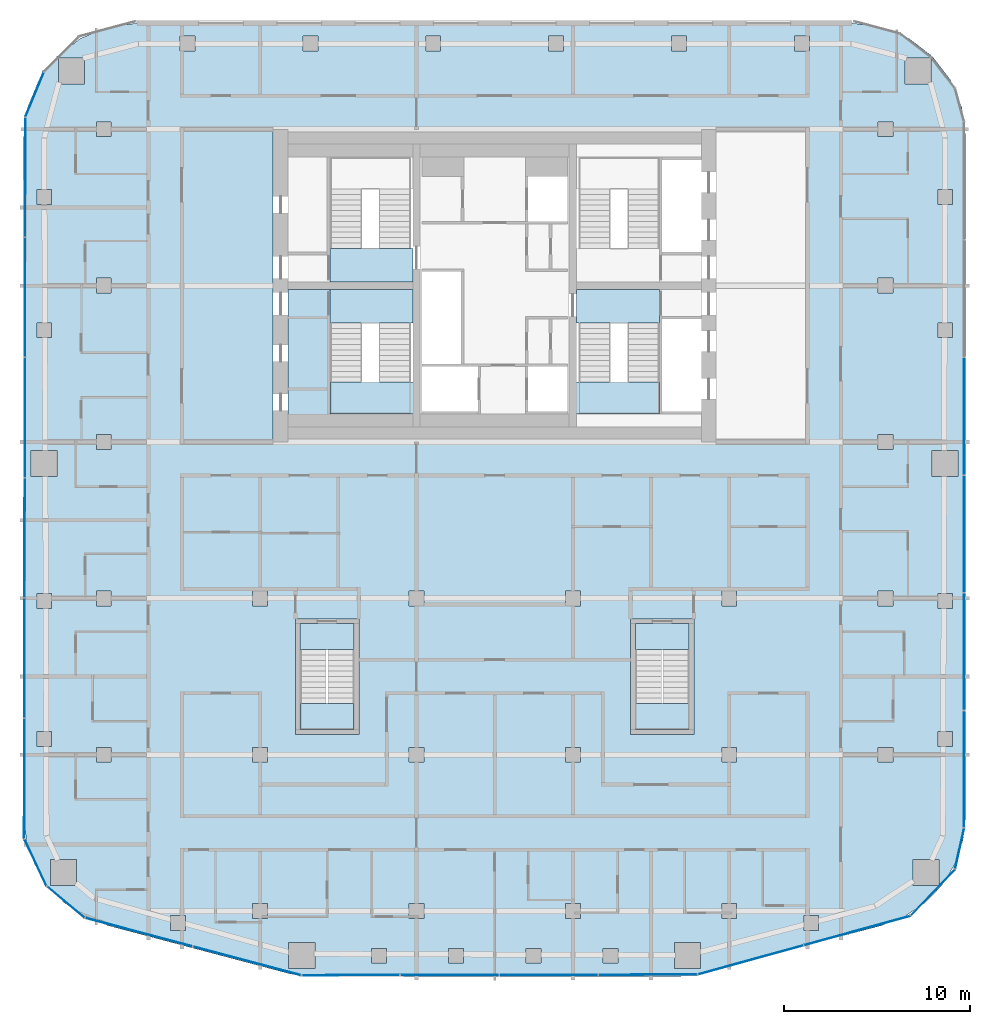
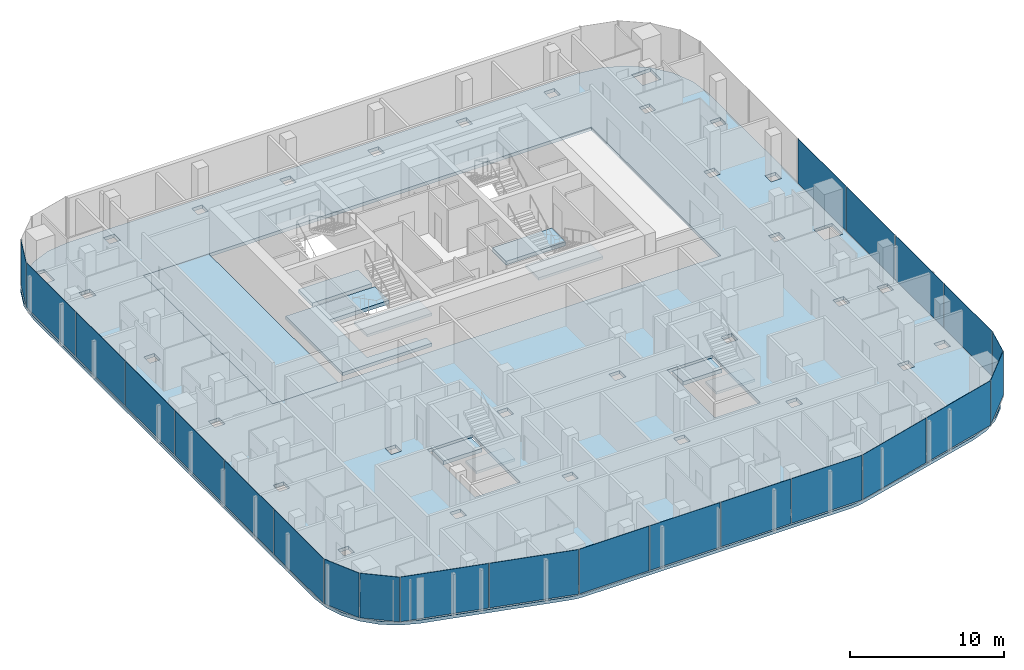
# One storey, part 12 of 22: 23 plates, 12 slabs, 14 elements without a shape of their own.
"""IFC4 building model written with IfcOpenShell, lengths in metres."""

import ifcopenshell
import ifcopenshell.guid

model = None  # the IFC model being written
_history = None  # IfcOwnerHistory: only IFC2X3 demands one
_inside = {}  # id of a spatial element -> (the spatial element, [elements in it])
_under = {}  # id of a project, library or spatial element -> (it, [spatial elements below it])
_declared = {}  # id of a project -> (the project, [libraries it declares])
_typed = {}  # id of a type object -> (the type object, [elements of that type])
_made_of = {}  # id of a material, layer set ... -> (it, [elements and type objects made of it])


def new_model(schema):
    """Start an empty IFC model of exactly this schema.

    Asked for "IFC4X3", IfcOpenShell would pick the latest addendum, in which some entities
    have other attributes; the version numbers below select the first issue.
    IFC2X3 requires an IfcOwnerHistory on every rooted entity: one is made here for all.
    """
    global model, _history
    if schema == "IFC4X3":
        model = ifcopenshell.file(schema_version=(4, 3, 0, 0))
    else:
        model = ifcopenshell.file(schema=schema)
    _inside.clear()
    _under.clear()
    _declared.clear()
    _typed.clear()
    _made_of.clear()
    _history = None
    if model.schema == "IFC2X3":
        org = make("IfcOrganization", Name="unknown")
        user = make(
            "IfcPersonAndOrganization",
            ThePerson=make("IfcPerson", FamilyName="unknown"),
            TheOrganization=org,
        )
        app = make(
            "IfcApplication",
            ApplicationDeveloper=org,
            Version="unknown",
            ApplicationFullName="unknown",
            ApplicationIdentifier="unknown",
        )
        _history = make(
            "IfcOwnerHistory",
            OwningUser=user,
            OwningApplication=app,
            ChangeAction="ADDED",
            CreationDate=0,
        )
    return model


def make(cls, **values):
    """One entity of the class cls with the attributes given. An attribute that is None is left unset."""
    return model.create_entity(
        cls, **{name: value for name, value in values.items() if value is not None}
    )


def rooted(cls, **values):
    """An entity with a GlobalId (a new one), such as an element, a storey or a relation."""
    return make(cls, GlobalId=ifcopenshell.guid.new(), OwnerHistory=_history, **values)


def si_unit(unit_type, name, prefix=None):
    """IfcSIUnit, for example si_unit("LENGTHUNIT", "METRE", prefix="MILLI")."""
    return make("IfcSIUnit", UnitType=unit_type, Prefix=prefix, Name=name)


def assignment(units):
    """IfcUnitAssignment: the units of a project."""
    return None if units is None else make("IfcUnitAssignment", Units=units)


def point(xyz):
    """IfcCartesianPoint."""
    return None if xyz is None else make("IfcCartesianPoint", Coordinates=xyz)


def direction(xyz):
    """IfcDirection."""
    return None if xyz is None else make("IfcDirection", DirectionRatios=xyz)


def frame(location, z_axis=None, x_axis=None):
    """IfcAxis2Placement3D, a coordinate frame: its origin and axes. An axis left out is left unset."""
    return make(
        "IfcAxis2Placement3D",
        Location=point(location),
        Axis=direction(z_axis),
        RefDirection=direction(x_axis),
    )


def frame_2d(location, x_axis=None):
    """IfcAxis2Placement2D, a coordinate frame in the plane: its origin and x axis."""
    return make(
        "IfcAxis2Placement2D", Location=point(location), RefDirection=direction(x_axis)
    )


def origin():
    """The frame at (0, 0, 0) with its axes left unset."""
    return frame((0.0, 0.0, 0.0))


def origin_2d():
    """The frame at (0, 0) in the plane with its x axis left unset."""
    return frame_2d((0.0, 0.0))


def place(relative_to, where):
    """IfcLocalPlacement: puts the frame where relative to a parent placement (None: the world)."""
    return make(
        "IfcLocalPlacement", PlacementRelTo=relative_to, RelativePlacement=where
    )


def context(
    kind, dimensions, precision=None, world=None, true_north=None, identifier=None
):
    """IfcGeometricRepresentationContext, for example the 3D "Model" context."""
    return make(
        "IfcGeometricRepresentationContext",
        ContextIdentifier=identifier,
        ContextType=kind,
        CoordinateSpaceDimension=dimensions,
        Precision=precision,
        WorldCoordinateSystem=world,
        TrueNorth=true_north,
    )


def subcontext(parent, identifier, kind, view, scale=None):
    """IfcGeometricRepresentationSubContext, for example "Body" below "Model"."""
    return make(
        "IfcGeometricRepresentationSubContext",
        ContextIdentifier=identifier,
        ContextType=kind,
        ParentContext=parent,
        TargetScale=scale,
        TargetView=view,
    )


def project(units=None, contexts=None):
    """IfcProject with its units and contexts."""
    return rooted(
        "IfcProject",
        Name="project",
        RepresentationContexts=contexts,
        UnitsInContext=assignment(units),
    )


def spatial(cls, under=None, at=None, **own):
    """A site, building, storey or space (cls), placed at a placement, below another one or the project."""
    s = rooted(cls, ObjectPlacement=at, **own)
    if under is not None:
        _under.setdefault(under.id(), (under, []))[1].append(s)
    return s


def polyline(points):
    """IfcPolyline through the points."""
    return make("IfcPolyline", Points=[point(p) for p in points])


def profile(cls, at=None, kind="AREA", **sizes):
    """A parametric profile (cls). Its sizes go by their IFC names, for example OverallWidth=200.0."""
    return make(cls, ProfileType=kind, Position=at, **sizes)


def rectangle(**sizes):
    """IfcRectangleProfileDef."""
    return profile("IfcRectangleProfileDef", **sizes)


def outline(outer, holes=None, kind="AREA"):
    """IfcArbitraryClosedProfileDef: a profile drawn as a closed curve; with holes, ...WithVoids."""
    if holes is None:
        return make("IfcArbitraryClosedProfileDef", ProfileType=kind, OuterCurve=outer)
    return make(
        "IfcArbitraryProfileDefWithVoids",
        ProfileType=kind,
        OuterCurve=outer,
        InnerCurves=holes,
    )


def extrude(swept, where, along, depth):
    """IfcExtrudedAreaSolid: the profile swept, set in the frame where, extruded along a direction by depth."""
    return make(
        "IfcExtrudedAreaSolid",
        SweptArea=swept,
        Position=where,
        ExtrudedDirection=direction(along),
        Depth=depth,
    )


def shape(context_of_items, identifier, shape_type, items):
    """IfcShapeRepresentation: the items that make up one representation, for example the "Body"."""
    return make(
        "IfcShapeRepresentation",
        ContextOfItems=context_of_items,
        RepresentationIdentifier=identifier,
        RepresentationType=shape_type,
        Items=items,
    )


def material(Name=None, Category=None):
    """IfcMaterial."""
    return make("IfcMaterial", Name=Name, Category=Category)


def layer(
    of_material, thickness, ventilated=None, Name=None, Category=None, Priority=None
):
    """IfcMaterialLayer: one layer of a wall or slab, of a material (None: an air gap)."""
    return make(
        "IfcMaterialLayer",
        Material=of_material,
        LayerThickness=thickness,
        IsVentilated=ventilated,
        Name=Name,
        Category=Category,
        Priority=Priority,
    )


def layer_set(layers, Name=None):
    """IfcMaterialLayerSet."""
    return make("IfcMaterialLayerSet", MaterialLayers=layers, LayerSetName=Name)


def made_of(thing, what):
    """Note that an element or type object is made of a material, layer set ...; save() writes the relation."""
    if what is not None:
        _made_of.setdefault(what.id(), (what, []))[1].append(thing)
    return thing


def type_object(cls, material=None, **own):
    """A type object (cls), such as IfcWallType, which elements share."""
    return made_of(rooted(cls, **own), material)


def element(
    cls,
    number,
    at=None,
    inside=None,
    cuts=None,
    type_object=None,
    material=None,
    context=None,
    identifier="Body",
    shape_type=None,
    held_by="IfcProductDefinitionShape",
    body=None,
    shapes=None,
    **own,
):
    """One element of the class cls, such as IfcWall. Its Tag is "e" and its number.

    at: its placement. inside: the storey or other place that contains it. cuts: it is an
    opening in that element (IfcRelVoidsElement). A single representation is given by context,
    identifier, shape_type and body (its items); several are given by shapes. held_by: the class
    of the entity that holds the representations. save() writes the other relations.
    """
    e = rooted(cls, Tag="e%d" % number, ObjectPlacement=at, **own)
    if body is not None:
        shapes = [shape(context, identifier, shape_type, body)]
    if shapes is not None:
        e.Representation = make(held_by, Representations=shapes)
    if inside is not None:
        _inside.setdefault(inside.id(), (inside, []))[1].append(e)
    if cuts is not None:
        rooted(
            "IfcRelVoidsElement", RelatingBuildingElement=cuts, RelatedOpeningElement=e
        )
    if type_object is not None:
        _typed.setdefault(type_object.id(), (type_object, []))[1].append(e)
    return made_of(e, material)


def aggregate(whole, parts):
    """IfcRelAggregates: a whole, such as a stair, and the parts it consists of."""
    return rooted("IfcRelAggregates", RelatingObject=whole, RelatedObjects=parts)


def save(model, path):
    """Write the relations noted so far, then the file.

    IfcRelAggregates (storeys below a building ...), IfcRelContainedInSpatialStructure (elements
    in a storey), IfcRelDefinesByType, IfcRelAssociatesMaterial and IfcRelDeclares: one each for
    every whole, place, type object, material and project.
    """
    for whole, parts in _under.values():
        aggregate(whole, parts)
    for where, things in _inside.values():
        rooted(
            "IfcRelContainedInSpatialStructure",
            RelatedElements=things,
            RelatingStructure=where,
        )
    for kind, things in _typed.values():
        rooted("IfcRelDefinesByType", RelatedObjects=things, RelatingType=kind)
    for what, things in _made_of.values():
        rooted("IfcRelAssociatesMaterial", RelatedObjects=things, RelatingMaterial=what)
    for by, libraries in _declared.values():
        rooted("IfcRelDeclares", RelatingContext=by, RelatedDefinitions=libraries)
    model.write(path)


model = new_model("IFC4")

# Units and contexts
model_context = context("Model", 3, precision=1e-05, world=origin(), true_north=direction((0.0, 1.0)))
body_context = subcontext(model_context, "Body", "Model", "MODEL_VIEW")
ifc_project = project(units=[si_unit("LENGTHUNIT", "METRE"), si_unit("AREAUNIT", "SQUARE_METRE"), si_unit("VOLUMEUNIT", "CUBIC_METRE"), si_unit("PLANEANGLEUNIT", "RADIAN"), si_unit("MASSUNIT", "GRAM", prefix="KILO")], contexts=[model_context])

# Site, building, storey
site_placement = place(None, origin())
site = spatial("IfcSite", under=ifc_project, at=site_placement, CompositionType="ELEMENT")
building_placement = place(site_placement, origin())
building = spatial("IfcBuilding", under=site, at=building_placement, Name="Marenta Gate Hotel Tower", CompositionType="ELEMENT")
storey_placement = place(building_placement, frame((0.0, 0.0, 223.699951171875)))
storey = spatial("IfcBuildingStorey", under=building, at=storey_placement, Name="L52", CompositionType="ELEMENT", Elevation=223.699951171875)

# Slabs
ifc_material_1 = material(Name="Concrete C35", Category="concrete")
ifc_layer_1 = layer(ifc_material_1, 0.260009765625)
ifc_layer_set_1 = layer_set([ifc_layer_1], Name="Concrete C35")
slab_type_1 = type_object("IfcSlabType", Name="Concrete floor slab 260", PredefinedType="FLOOR", material=ifc_layer_set_1)
slab_1_placement = place(storey_placement, frame((0.0, 0.0, -0.260009765625)))
element("IfcSlab", 1, at=slab_1_placement, inside=storey, type_object=slab_type_1, Name="L52-SL-1", PredefinedType="FLOOR", context=body_context, shape_type="SweptSolid", body=[
    extrude(outline(polyline([(-23.11376953125, -24.76416015625), (-24.035400390625, -23.803955078125), (-24.72705078125, -22.6669921875), (-25.155517578125, -21.4072265625), (-25.300048828125, -20.08984375), (-25.300048828125, 16.406494140625), (-25.093017578125, 17.97900390625), (-24.483642578125, 19.450439453125), (-23.513916015625, 20.7138671875), (-22.25048828125, 21.68359375), (-20.779052734375, 22.29296875), (-19.20654296875, 22.5), (19.20654296875, 22.5), (20.779052734375, 22.29296875), (22.25048828125, 21.68359375), (23.513916015625, 20.7138671875), (24.483642578125, 19.450439453125), (25.093017578125, 17.97900390625), (25.300048828125, 16.406494140625), (25.300048828125, -20.08984375), (25.155517578125, -21.4072265625), (24.72705078125, -22.6669921875), (24.035400390625, -23.803955078125), (23.11376953125, -24.76416015625), (22.005859375, -25.501220703125), (20.76953125, -25.978759765625), (11.026611328125, -28.563720703125), (10.508544921875, -28.665771484375), (9.981689453125, -28.699951171875), (-9.981689453125, -28.699951171875), (-10.508544921875, -28.665771484375), (-11.026611328125, -28.563720703125), (-20.76953125, -25.978759765625), (-22.005859375, -25.501220703125), (-23.11376953125, -24.76416015625)]), holes=[polyline([(-16.800048828125, 0.0), (16.800048828125, 0.0), (16.800048828125, 16.800048828125), (-16.800048828125, 16.800048828125), (-16.800048828125, 0.0)]), polyline([(-16.606689453125, -25.439208984375), (-17.40673828125, -25.439208984375), (-17.40673828125, -26.239013671875), (-16.606689453125, -26.239013671875), (-16.606689453125, -25.439208984375)]), polyline([(-12.199951171875, -25.60009765625), (-12.199951171875, -24.800048828125), (-13.0, -24.800048828125), (-13.0, -25.60009765625), (-12.199951171875, -25.60009765625)]), polyline([(-22.462890625, -23.8330078125), (-22.462890625, -22.43310546875), (-23.863037109375, -22.43310546875), (-23.863037109375, -23.8330078125), (-22.462890625, -23.8330078125)]), polyline([(-12.199951171875, -16.39990234375), (-13.0, -16.39990234375), (-13.0, -17.199951171875), (-12.199951171875, -17.199951171875), (-12.199951171875, -16.39990234375)]), polyline([(-20.60009765625, -17.199951171875), (-20.60009765625, -16.39990234375), (-21.39990234375, -16.39990234375), (-21.39990234375, -17.199951171875), (-20.60009765625, -17.199951171875)]), polyline([(-23.800048828125, -16.351806640625), (-23.800048828125, -15.552001953125), (-24.60009765625, -15.552001953125), (-24.60009765625, -16.351806640625), (-23.800048828125, -16.351806640625)]), polyline([(-23.800048828125, -8.15087890625), (-24.60009765625, -8.15087890625), (-24.60009765625, -8.950927734375), (-23.800048828125, -8.950927734375), (-23.800048828125, -8.15087890625)]), polyline([(-12.199951171875, -8.800048828125), (-12.199951171875, -8.0), (-13.0, -8.0), (-13.0, -8.800048828125), (-12.199951171875, -8.800048828125)]), polyline([(-20.60009765625, -8.800048828125), (-20.60009765625, -8.0), (-21.39990234375, -8.0), (-21.39990234375, -8.800048828125), (-20.60009765625, -8.800048828125)]), polyline([(-23.5, -0.449951171875), (-24.89990234375, -0.449951171875), (-24.89990234375, -1.85009765625), (-23.5, -1.85009765625), (-23.5, -0.449951171875)]), polyline([(-20.60009765625, -0.39990234375), (-20.60009765625, 0.39990234375), (-21.39990234375, 0.39990234375), (-21.39990234375, -0.39990234375), (-20.60009765625, -0.39990234375)]), polyline([(-23.800048828125, 5.603271484375), (-23.800048828125, 6.4033203125), (-24.60009765625, 6.4033203125), (-24.60009765625, 5.603271484375), (-23.800048828125, 5.603271484375)]), polyline([(-20.60009765625, 8.800048828125), (-21.39990234375, 8.800048828125), (-21.39990234375, 8.0), (-20.60009765625, 8.0), (-20.60009765625, 8.800048828125)]), polyline([(-23.800048828125, 12.75634765625), (-23.800048828125, 13.556396484375), (-24.60009765625, 13.556396484375), (-24.60009765625, 12.75634765625), (-23.800048828125, 12.75634765625)]), polyline([(-20.60009765625, 16.39990234375), (-20.60009765625, 17.199951171875), (-21.39990234375, 17.199951171875), (-21.39990234375, 16.39990234375), (-20.60009765625, 16.39990234375)]), polyline([(-22.035400390625, 20.635498046875), (-23.435546875, 20.635498046875), (-23.435546875, 19.235595703125), (-22.035400390625, 19.235595703125), (-22.035400390625, 20.635498046875)]), polyline([(-16.10693359375, 21.0), (-16.10693359375, 21.800048828125), (-16.906982421875, 21.800048828125), (-16.906982421875, 21.0), (-16.10693359375, 21.0)]), polyline([(-5.820068359375, -28.0), (-5.820068359375, -27.199951171875), (-6.6201171875, -27.199951171875), (-6.6201171875, -28.0), (-5.820068359375, -28.0)]), polyline([(6.6201171875, -27.199951171875), (5.820068359375, -27.199951171875), (5.820068359375, -28.0), (6.6201171875, -28.0), (6.6201171875, -27.199951171875)]), polyline([(2.473388671875, -28.0), (2.473388671875, -27.199951171875), (1.67333984375, -27.199951171875), (1.67333984375, -28.0), (2.473388671875, -28.0)]), polyline([(-1.67333984375, -28.0), (-1.67333984375, -27.199951171875), (-2.473388671875, -27.199951171875), (-2.473388671875, -28.0), (-1.67333984375, -28.0)]), polyline([(-9.666259765625, -28.27490234375), (-9.666259765625, -26.874755859375), (-11.06640625, -26.874755859375), (-11.06640625, -28.27490234375), (-9.666259765625, -28.27490234375)]), polyline([(11.06640625, -28.27490234375), (11.06640625, -26.874755859375), (9.666259765625, -26.874755859375), (9.666259765625, -28.27490234375), (11.06640625, -28.27490234375)]), polyline([(13.0, -25.60009765625), (13.0, -24.800048828125), (12.199951171875, -24.800048828125), (12.199951171875, -25.60009765625), (13.0, -25.60009765625)]), polyline([(4.60009765625, -25.60009765625), (4.60009765625, -24.800048828125), (3.800048828125, -24.800048828125), (3.800048828125, -25.60009765625), (4.60009765625, -25.60009765625)]), polyline([(-3.800048828125, -24.800048828125), (-4.60009765625, -24.800048828125), (-4.60009765625, -25.60009765625), (-3.800048828125, -25.60009765625), (-3.800048828125, -24.800048828125)]), polyline([(4.60009765625, -17.199951171875), (4.60009765625, -16.39990234375), (3.800048828125, -16.39990234375), (3.800048828125, -17.199951171875), (4.60009765625, -17.199951171875)]), polyline([(-3.800048828125, -17.199951171875), (-3.800048828125, -16.39990234375), (-4.60009765625, -16.39990234375), (-4.60009765625, -17.199951171875), (-3.800048828125, -17.199951171875)]), polyline([(4.60009765625, -8.0), (3.800048828125, -8.0), (3.800048828125, -8.800048828125), (4.60009765625, -8.800048828125), (4.60009765625, -8.0)]), polyline([(-3.800048828125, -8.800048828125), (-3.800048828125, -8.0), (-4.60009765625, -8.0), (-4.60009765625, -8.800048828125), (-3.800048828125, -8.800048828125)]), polyline([(-2.9013671875, 21.0), (-2.9013671875, 21.800048828125), (-3.701416015625, 21.800048828125), (-3.701416015625, 21.0), (-2.9013671875, 21.0)]), polyline([(3.701416015625, 21.800048828125), (2.9013671875, 21.800048828125), (2.9013671875, 21.0), (3.701416015625, 21.0), (3.701416015625, 21.800048828125)]), polyline([(10.30419921875, 21.0), (10.30419921875, 21.800048828125), (9.504150390625, 21.800048828125), (9.504150390625, 21.0), (10.30419921875, 21.0)]), polyline([(-9.504150390625, 21.0), (-9.504150390625, 21.800048828125), (-10.30419921875, 21.800048828125), (-10.30419921875, 21.0), (-9.504150390625, 21.0)]), polyline([(17.40673828125, -25.439208984375), (16.606689453125, -25.439208984375), (16.606689453125, -26.239013671875), (17.40673828125, -26.239013671875), (17.40673828125, -25.439208984375)]), polyline([(23.863037109375, -23.8330078125), (23.863037109375, -22.43310546875), (22.462890625, -22.43310546875), (22.462890625, -23.8330078125), (23.863037109375, -23.8330078125)]), polyline([(13.0, -17.199951171875), (13.0, -16.39990234375), (12.199951171875, -16.39990234375), (12.199951171875, -17.199951171875), (13.0, -17.199951171875)]), polyline([(21.39990234375, -16.39990234375), (20.60009765625, -16.39990234375), (20.60009765625, -17.199951171875), (21.39990234375, -17.199951171875), (21.39990234375, -16.39990234375)]), polyline([(24.60009765625, -16.351806640625), (24.60009765625, -15.552001953125), (23.800048828125, -15.552001953125), (23.800048828125, -16.351806640625), (24.60009765625, -16.351806640625)]), polyline([(24.60009765625, -8.950927734375), (24.60009765625, -8.15087890625), (23.800048828125, -8.15087890625), (23.800048828125, -8.950927734375), (24.60009765625, -8.950927734375)]), polyline([(13.0, -8.0), (12.199951171875, -8.0), (12.199951171875, -8.800048828125), (13.0, -8.800048828125), (13.0, -8.0)]), polyline([(21.39990234375, -8.800048828125), (21.39990234375, -8.0), (20.60009765625, -8.0), (20.60009765625, -8.800048828125), (21.39990234375, -8.800048828125)]), polyline([(24.89990234375, -1.85009765625), (24.89990234375, -0.449951171875), (23.5, -0.449951171875), (23.5, -1.85009765625), (24.89990234375, -1.85009765625)]), polyline([(21.39990234375, 0.39990234375), (20.60009765625, 0.39990234375), (20.60009765625, -0.39990234375), (21.39990234375, -0.39990234375), (21.39990234375, 0.39990234375)]), polyline([(24.60009765625, 5.603271484375), (24.60009765625, 6.4033203125), (23.800048828125, 6.4033203125), (23.800048828125, 5.603271484375), (24.60009765625, 5.603271484375)]), polyline([(21.39990234375, 8.0), (21.39990234375, 8.800048828125), (20.60009765625, 8.800048828125), (20.60009765625, 8.0), (21.39990234375, 8.0)]), polyline([(24.60009765625, 12.75634765625), (24.60009765625, 13.556396484375), (23.800048828125, 13.556396484375), (23.800048828125, 12.75634765625), (24.60009765625, 12.75634765625)]), polyline([(21.39990234375, 16.39990234375), (21.39990234375, 17.199951171875), (20.60009765625, 17.199951171875), (20.60009765625, 16.39990234375), (21.39990234375, 16.39990234375)]), polyline([(23.435546875, 19.235595703125), (23.435546875, 20.635498046875), (22.035400390625, 20.635498046875), (22.035400390625, 19.235595703125), (23.435546875, 19.235595703125)]), polyline([(16.906982421875, 21.0), (16.906982421875, 21.800048828125), (16.10693359375, 21.800048828125), (16.10693359375, 21.0), (16.906982421875, 21.0)]), polyline([(-7.300048828125, -15.699951171875), (-7.300048828125, -9.5), (-10.699951171875, -9.5), (-10.699951171875, -15.699951171875), (-7.300048828125, -15.699951171875)]), polyline([(10.699951171875, -15.699951171875), (10.699951171875, -9.5), (7.300048828125, -9.5), (7.300048828125, -15.699951171875), (10.699951171875, -15.699951171875)])]), origin(), (0.0, 0.0, 1.0), 0.260009765625),
])
ifc_material_2 = material(Name="Concrete C40", Category="concrete")
ifc_layer_2 = layer(ifc_material_2, 0.260009765625)
ifc_layer_set_2 = layer_set([ifc_layer_2], Name="Concrete C40")
slab_type_2 = type_object("IfcSlabType", Name="Core floor slab 260", PredefinedType="FLOOR", material=ifc_layer_set_2)
slab_2_placement = place(storey_placement, frame((0.0, 0.0, -0.260009765625)))
element("IfcSlab", 2, at=slab_2_placement, inside=storey, type_object=slab_type_2, Name="L52-CF-5", PredefinedType="FLOOR", context=body_context, shape_type="SweptSolid", body=[
    extrude(outline(polyline([(-8.85009765625, 8.199951171875), (-8.85009765625, 8.10009765625), (-8.85009765625, 6.39990234375), (-8.85009765625, 1.5), (-4.39990234375, 1.5), (-4.39990234375, 0.800048828125), (-11.10009765625, 0.800048828125), (-11.10009765625, 8.199951171875), (-8.85009765625, 8.199951171875)])), origin(), (0.0, 0.0, 1.0), 0.260009765625),
])
slab_3_placement = place(storey_placement, frame((0.0, 0.0, -0.260009765625)))
element("IfcSlab", 3, at=slab_3_placement, inside=storey, type_object=slab_type_2, Name="L52-CF-7", PredefinedType="FLOOR", context=body_context, shape_type="SweptSolid", body=[
    extrude(outline(polyline([(-11.89990234375, 16.800048828125), (-11.89990234375, 0.0), (-16.800048828125, 0.0), (-16.800048828125, 16.800048828125), (-11.89990234375, 16.800048828125)])), origin(), (0.0, 0.0, 1.0), 0.260009765625),
])

# Stair, slab
ifc_material_3 = material(Name="Concrete C40", Category="concrete")
stair_type_1 = type_object("IfcStairType", Name="Core exit stair 1700 wide", PredefinedType="HALF_TURN_STAIR", material=ifc_material_3)
stair_1_placement = place(storey_placement, origin())
stair_1 = element("IfcStair", 4, at=stair_1_placement, inside=storey, type_object=stair_type_1, Name="Exit stair 1", PredefinedType="HALF_TURN_STAIR")
ifc_material_4 = material(Name="Concrete C40", Category="concrete")
ifc_layer_3 = layer(ifc_material_4, 0.199951171875)
ifc_layer_set_3 = layer_set([ifc_layer_3], Name="Concrete C40")
slab_type_3 = type_object("IfcSlabType", Name="Core stair landing 200", PredefinedType="LANDING", material=ifc_layer_set_3)
slab_4_placement = place(storey_placement, frame((0.0, 0.0, 1.60009765625)))
slab_4 = element("IfcSlab", 5, at=slab_4_placement, type_object=slab_type_3, Name="SL-200 ST1 landing 1", PredefinedType="LANDING", context=body_context, shape_type="SweptSolid", body=[
    extrude(outline(polyline([(-8.85009765625, 1.5), (-4.0, 1.5), (-4.0, 3.2099609375), (-8.85009765625, 3.2099609375), (-8.85009765625, 1.5)])), origin(), (0.0, 0.0, 1.0), 0.199951171875),
])
aggregate(stair_1, [slab_4])

stair_2_placement = place(storey_placement, origin())
stair_2 = element("IfcStair", 6, at=stair_2_placement, inside=storey, type_object=stair_type_1, Name="Exit stair 3", PredefinedType="HALF_TURN_STAIR")
slab_5_placement = place(storey_placement, frame((0.0, 0.0, 1.60009765625)))
slab_5 = element("IfcSlab", 7, at=slab_5_placement, type_object=slab_type_3, Name="SL-200 ST3 landing 1", PredefinedType="LANDING", context=body_context, shape_type="SweptSolid", body=[
    extrude(outline(polyline([(4.0, 1.5), (8.85009765625, 1.5), (8.85009765625, 3.2099609375), (4.0, 3.2099609375), (4.0, 1.5)])), origin(), (0.0, 0.0, 1.0), 0.199951171875),
])
aggregate(stair_2, [slab_5])

# Curtain wall, plate
ifc_material_5 = material(Name="Tinted insulated glass in bronze anodised frame", Category="glass")
ifc_layer_4 = layer(ifc_material_5, 0.1201171875)
ifc_layer_set_4 = layer_set([ifc_layer_4], Name="Tinted insulated glass in bronze anodised frame")
curtain_wall_type = type_object("IfcCurtainWallType", Name="Tower unitised curtain wall CW1", PredefinedType="NOTDEFINED", material=ifc_layer_set_4)
curtain_wall_1_placement = place(storey_placement, origin())
curtain_wall_1 = element("IfcCurtainWall", 8, at=curtain_wall_1_placement, inside=storey, type_object=curtain_wall_type, Name="CW1 run G02", PredefinedType="NOTDEFINED")
ifc_material_6 = material(Name="Tinted insulated glass", Category="glass")
ifc_layer_5 = layer(ifc_material_6, 0.028076171875)
ifc_layer_set_5 = layer_set([ifc_layer_5], Name="Tinted insulated glass")
plate_type = type_object("IfcPlateType", Name="Glass panel CW1 28 mm tinted insulated unit", PredefinedType="CURTAIN_PANEL", material=ifc_layer_set_5)
plate_1_placement = place(storey_placement, frame((-24.719482421875, 18.656005859375, 0.06005859375), z_axis=(0.0, 0.0, 1.0), x_axis=(-0.382666772044, -0.923886433266, 0.0)))
plate_1 = element("IfcPlate", 9, at=plate_1_placement, type_object=plate_type, Name="CW1 panel 1.1", PredefinedType="CURTAIN_PANEL", context=body_context, shape_type="SweptSolid", body=[
    extrude(rectangle(XDim=2.57568359375, YDim=0.028076171875, at=origin_2d()), origin(), (0.0, 0.0, 1.0), 3.5400390625),
])
aggregate(curtain_wall_1, [plate_1])

# Curtain wall, plates
curtain_wall_2_placement = place(storey_placement, origin())
curtain_wall_2 = element("IfcCurtainWall", 10, at=curtain_wall_2_placement, inside=storey, type_object=curtain_wall_type, Name="CW1 run G03", PredefinedType="NOTDEFINED")
plate_2_placement = place(storey_placement, frame((-25.21728515625, 14.22119140625, 0.06005859375), z_axis=(0.0, 0.0, 1.0), x_axis=(-0.001566045546, -0.99999877375, 0.0)))
plate_2 = element("IfcPlate", 11, at=plate_2_placement, type_object=plate_type, Name="CW1 panel 1.1", PredefinedType="CURTAIN_PANEL", context=body_context, shape_type="SweptSolid", body=[
    extrude(rectangle(XDim=6.3701171875, YDim=0.028076171875, at=origin_2d()), origin(), (0.0, 0.0, 1.0), 3.5400390625),
])
plate_3_placement = place(storey_placement, frame((-25.2275390625, 7.776123046875, 0.06005859375), z_axis=(0.0, 0.0, 1.0), x_axis=(-0.001566045546, -0.99999877375, 0.0)))
plate_3 = element("IfcPlate", 12, at=plate_3_placement, type_object=plate_type, Name="CW1 panel 2.1", PredefinedType="CURTAIN_PANEL", context=body_context, shape_type="SweptSolid", body=[
    extrude(rectangle(XDim=6.39990234375, YDim=0.028076171875, at=origin_2d()), origin(), (0.0, 0.0, 1.0), 3.5400390625),
])
plate_4_placement = place(storey_placement, frame((-25.237548828125, 1.316162109375, 0.06005859375), z_axis=(0.0, 0.0, 1.0), x_axis=(-0.001566045546, -0.99999877375, 0.0)))
plate_4 = element("IfcPlate", 13, at=plate_4_placement, type_object=plate_type, Name="CW1 panel 3.1", PredefinedType="CURTAIN_PANEL", context=body_context, shape_type="SweptSolid", body=[
    extrude(rectangle(XDim=6.39990234375, YDim=0.028076171875, at=origin_2d()), origin(), (0.0, 0.0, 1.0), 3.5400390625),
])
plate_5_placement = place(storey_placement, frame((-25.247802734375, -5.143798828125, 0.06005859375), z_axis=(0.0, 0.0, 1.0), x_axis=(-0.001566045546, -0.99999877375, 0.0)))
plate_5 = element("IfcPlate", 14, at=plate_5_placement, type_object=plate_type, Name="CW1 panel 4.1", PredefinedType="CURTAIN_PANEL", context=body_context, shape_type="SweptSolid", body=[
    extrude(rectangle(XDim=6.39990234375, YDim=0.028076171875, at=origin_2d()), origin(), (0.0, 0.0, 1.0), 3.5400390625),
])
plate_6_placement = place(storey_placement, frame((-25.2578125, -11.603759765625, 0.06005859375), z_axis=(0.0, 0.0, 1.0), x_axis=(-0.001566045546, -0.99999877375, 0.0)))
plate_6 = element("IfcPlate", 15, at=plate_6_placement, type_object=plate_type, Name="CW1 panel 5.1", PredefinedType="CURTAIN_PANEL", context=body_context, shape_type="SweptSolid", body=[
    extrude(rectangle(XDim=6.39990234375, YDim=0.028076171875, at=origin_2d()), origin(), (0.0, 0.0, 1.0), 3.5400390625),
])
plate_7_placement = place(storey_placement, frame((-25.26806640625, -18.078857421875, 0.06005859375), z_axis=(0.0, 0.0, 1.0), x_axis=(-0.001566045546, -0.99999877375, 0.0)))
plate_7 = element("IfcPlate", 16, at=plate_7_placement, type_object=plate_type, Name="CW1 panel 6.1", PredefinedType="CURTAIN_PANEL", context=body_context, shape_type="SweptSolid", body=[
    extrude(rectangle(XDim=6.429931640625, YDim=0.028076171875, at=origin_2d()), origin(), (0.0, 0.0, 1.0), 3.5400390625),
])
aggregate(curtain_wall_2, [plate_2, plate_3, plate_4, plate_5, plate_6, plate_7])

# Curtain wall, plate
curtain_wall_3_placement = place(storey_placement, origin())
curtain_wall_3 = element("IfcCurtainWall", 17, at=curtain_wall_3_placement, inside=storey, type_object=curtain_wall_type, Name="CW1 run G04", PredefinedType="NOTDEFINED")
plate_8_placement = place(storey_placement, frame((-24.665283203125, -22.594482421875, 0.06005859375), z_axis=(0.0, 0.0, 1.0), x_axis=(0.42333719762, -0.905972194447, 0.0)))
plate_8 = element("IfcPlate", 18, at=plate_8_placement, type_object=plate_type, Name="CW1 panel 1.1", PredefinedType="CURTAIN_PANEL", context=body_context, shape_type="SweptSolid", body=[
    extrude(rectangle(XDim=2.751220703125, YDim=0.028076171875, at=origin_2d()), origin(), (0.0, 0.0, 1.0), 3.5400390625),
])
aggregate(curtain_wall_3, [plate_8])

curtain_wall_4_placement = place(storey_placement, origin())
curtain_wall_4 = element("IfcCurtainWall", 19, at=curtain_wall_4_placement, inside=storey, type_object=curtain_wall_type, Name="CW1 run G05", PredefinedType="NOTDEFINED")
plate_9_placement = place(storey_placement, frame((-23.0361328125, -24.716064453125, 0.06005859375), z_axis=(0.0, 0.0, 1.0), x_axis=(0.767102345594, -0.641524739495, 0.0)))
plate_9 = element("IfcPlate", 20, at=plate_9_placement, type_object=plate_type, Name="CW1 panel 1.1", PredefinedType="CURTAIN_PANEL", context=body_context, shape_type="SweptSolid", body=[
    extrude(rectangle(XDim=2.609375, YDim=0.028076171875, at=origin_2d()), origin(), (0.0, 0.0, 1.0), 3.5400390625),
])
aggregate(curtain_wall_4, [plate_9])

# Curtain wall, plates
curtain_wall_5_placement = place(storey_placement, origin())
curtain_wall_5 = element("IfcCurtainWall", 21, at=curtain_wall_5_placement, inside=storey, type_object=curtain_wall_type, Name="CW1 run G06", PredefinedType="NOTDEFINED")
plate_10_placement = place(storey_placement, frame((-19.113525390625, -26.33056640625, 0.06005859375), z_axis=(0.0, 0.0, 1.0), x_axis=(0.966374375295, -0.257139197271, 0.0)))
plate_10 = element("IfcPlate", 22, at=plate_10_placement, type_object=plate_type, Name="CW1 panel 1.1", PredefinedType="CURTAIN_PANEL", context=body_context, shape_type="SweptSolid", body=[
    extrude(rectangle(XDim=5.927001953125, YDim=0.028076171875, at=origin_2d()), origin(), (0.0, 0.0, 1.0), 3.5400390625),
])
plate_11_placement = place(storey_placement, frame((-13.298828125, -27.877685546875, 0.06005859375), z_axis=(0.0, 0.0, 1.0), x_axis=(0.966374375295, -0.257139197271, 0.0)))
plate_11 = element("IfcPlate", 23, at=plate_11_placement, type_object=plate_type, Name="CW1 panel 2.1", PredefinedType="CURTAIN_PANEL", context=body_context, shape_type="SweptSolid", body=[
    extrude(rectangle(XDim=5.987060546875, YDim=0.028076171875, at=origin_2d()), origin(), (0.0, 0.0, 1.0), 3.5400390625),
])
aggregate(curtain_wall_5, [plate_10, plate_11])

curtain_wall_6_placement = place(storey_placement, origin())
curtain_wall_6 = element("IfcCurtainWall", 24, at=curtain_wall_6_placement, inside=storey, type_object=curtain_wall_type, Name="CW1 run G07", PredefinedType="NOTDEFINED")
plate_12_placement = place(storey_placement, frame((-7.73095703125, -28.64306640625, 0.06005859375), z_axis=(0.0, 0.0, 1.0), x_axis=(0.999998647385, 0.001644757804, 0.0)))
plate_12 = element("IfcPlate", 25, at=plate_12_placement, type_object=plate_type, Name="CW1 panel 1.1", PredefinedType="CURTAIN_PANEL", context=body_context, shape_type="SweptSolid", body=[
    extrude(rectangle(XDim=5.22998046875, YDim=0.028076171875, at=origin_2d()), origin(), (0.0, 0.0, 1.0), 3.5400390625),
])
plate_13_placement = place(storey_placement, frame((-2.426025390625, -28.63427734375, 0.06005859375), z_axis=(0.0, 0.0, 1.0), x_axis=(0.999998647385, 0.001644757804, 0.0)))
plate_13 = element("IfcPlate", 26, at=plate_13_placement, type_object=plate_type, Name="CW1 panel 2.1", PredefinedType="CURTAIN_PANEL", context=body_context, shape_type="SweptSolid", body=[
    extrude(rectangle(XDim=5.260009765625, YDim=0.028076171875, at=origin_2d()), origin(), (0.0, 0.0, 1.0), 3.5400390625),
])
plate_14_placement = place(storey_placement, frame((2.893798828125, -28.625732421875, 0.06005859375), z_axis=(0.0, 0.0, 1.0), x_axis=(0.999998647385, 0.001644757804, 0.0)))
plate_14 = element("IfcPlate", 27, at=plate_14_placement, type_object=plate_type, Name="CW1 panel 3.1", PredefinedType="CURTAIN_PANEL", context=body_context, shape_type="SweptSolid", body=[
    extrude(rectangle(XDim=5.260009765625, YDim=0.028076171875, at=origin_2d()), origin(), (0.0, 0.0, 1.0), 3.5400390625),
])
plate_15_placement = place(storey_placement, frame((8.228759765625, -28.616943359375, 0.06005859375), z_axis=(0.0, 0.0, 1.0), x_axis=(0.999998647385, 0.001644757804, 0.0)))
plate_15 = element("IfcPlate", 28, at=plate_15_placement, type_object=plate_type, Name="CW1 panel 4.1", PredefinedType="CURTAIN_PANEL", context=body_context, shape_type="SweptSolid", body=[
    extrude(rectangle(XDim=5.289794921875, YDim=0.028076171875, at=origin_2d()), origin(), (0.0, 0.0, 1.0), 3.5400390625),
])
aggregate(curtain_wall_6, [plate_12, plate_13, plate_14, plate_15])

curtain_wall_7_placement = place(storey_placement, origin())
curtain_wall_7 = element("IfcCurtainWall", 29, at=curtain_wall_7_placement, inside=storey, type_object=curtain_wall_type, Name="CW1 run G08", PredefinedType="NOTDEFINED")
plate_16_placement = place(storey_placement, frame((13.7509765625, -27.82080078125, 0.06005859375), z_axis=(0.0, 0.0, 1.0), x_axis=(0.964167765212, 0.265293272675, 0.0)))
plate_16 = element("IfcPlate", 30, at=plate_16_placement, type_object=plate_type, Name="CW1 panel 1.1", PredefinedType="CURTAIN_PANEL", context=body_context, shape_type="SweptSolid", body=[
    extrude(rectangle(XDim=5.848388671875, YDim=0.028076171875, at=origin_2d()), origin(), (0.0, 0.0, 1.0), 3.5400390625),
])
plate_17_placement = place(storey_placement, frame((19.4765625, -26.245361328125, 0.06005859375), z_axis=(0.0, 0.0, 1.0), x_axis=(0.964167765212, 0.265293272675, 0.0)))
plate_17 = element("IfcPlate", 31, at=plate_17_placement, type_object=plate_type, Name="CW1 panel 2.1", PredefinedType="CURTAIN_PANEL", context=body_context, shape_type="SweptSolid", body=[
    extrude(rectangle(XDim=5.908203125, YDim=0.028076171875, at=origin_2d()), origin(), (0.0, 0.0, 1.0), 3.5400390625),
])
aggregate(curtain_wall_7, [plate_16, plate_17])

# Curtain wall, plate
curtain_wall_8_placement = place(storey_placement, origin())
curtain_wall_8 = element("IfcCurtainWall", 32, at=curtain_wall_8_placement, inside=storey, type_object=curtain_wall_type, Name="CW1 run G09", PredefinedType="NOTDEFINED")
plate_18_placement = place(storey_placement, frame((23.543212890625, -24.1923828125, 0.06005859375), z_axis=(0.0, 0.0, 1.0), x_axis=(0.692548076564, 0.72137172224, 0.0)))
plate_18 = element("IfcPlate", 33, at=plate_18_placement, type_object=plate_type, Name="CW1 panel 1.1", PredefinedType="CURTAIN_PANEL", context=body_context, shape_type="SweptSolid", body=[
    extrude(rectangle(XDim=3.39892578125, YDim=0.028076171875, at=origin_2d()), origin(), (0.0, 0.0, 1.0), 3.5400390625),
])
aggregate(curtain_wall_8, [plate_18])

curtain_wall_9_placement = place(storey_placement, origin())
curtain_wall_9 = element("IfcCurtainWall", 34, at=curtain_wall_9_placement, inside=storey, type_object=curtain_wall_type, Name="CW1 run G10", PredefinedType="NOTDEFINED")
plate_19_placement = place(storey_placement, frame((24.9736328125, -21.825927734375, 0.06005859375), z_axis=(0.0, 0.0, 1.0), x_axis=(0.216842096529, 0.97620669183, 0.0)))
plate_19 = element("IfcPlate", 35, at=plate_19_placement, type_object=plate_type, Name="CW1 panel 1.1", PredefinedType="CURTAIN_PANEL", context=body_context, shape_type="SweptSolid", body=[
    extrude(rectangle(XDim=2.216796875, YDim=0.028076171875, at=origin_2d()), origin(), (0.0, 0.0, 1.0), 3.5400390625),
])
aggregate(curtain_wall_9, [plate_19])

# Curtain wall, plates
curtain_wall_10_placement = place(storey_placement, origin())
curtain_wall_10 = element("IfcCurtainWall", 36, at=curtain_wall_10_placement, inside=storey, type_object=curtain_wall_type, Name="CW1 run G11", PredefinedType="NOTDEFINED")
plate_20_placement = place(storey_placement, frame((25.214111328125, -17.567626953125, 0.06005859375), z_axis=(0.0, 0.0, 1.0), x_axis=(0.0, 1.0, 0.0)))
plate_20 = element("IfcPlate", 37, at=plate_20_placement, type_object=plate_type, Name="CW1 panel 1.1", PredefinedType="CURTAIN_PANEL", context=body_context, shape_type="SweptSolid", body=[
    extrude(rectangle(XDim=6.232666015625, YDim=0.028076171875, at=origin_2d()), origin(), (0.0, 0.0, 1.0), 3.5400390625),
])
plate_21_placement = place(storey_placement, frame((25.214111328125, -11.260009765625, 0.06005859375), z_axis=(0.0, 0.0, 1.0), x_axis=(0.0, 1.0, 0.0)))
plate_21 = element("IfcPlate", 38, at=plate_21_placement, type_object=plate_type, Name="CW1 panel 2.1", PredefinedType="CURTAIN_PANEL", context=body_context, shape_type="SweptSolid", body=[
    extrude(rectangle(XDim=6.2626953125, YDim=0.028076171875, at=origin_2d()), origin(), (0.0, 0.0, 1.0), 3.5400390625),
])
plate_22_placement = place(storey_placement, frame((25.214111328125, -4.937255859375, 0.06005859375), z_axis=(0.0, 0.0, 1.0), x_axis=(0.0, 1.0, 0.0)))
plate_22 = element("IfcPlate", 39, at=plate_22_placement, type_object=plate_type, Name="CW1 panel 3.1", PredefinedType="CURTAIN_PANEL", context=body_context, shape_type="SweptSolid", body=[
    extrude(rectangle(XDim=6.2626953125, YDim=0.028076171875, at=origin_2d()), origin(), (0.0, 0.0, 1.0), 3.5400390625),
])
plate_23_placement = place(storey_placement, frame((25.214111328125, 1.38525390625, 0.06005859375), z_axis=(0.0, 0.0, 1.0), x_axis=(0.0, 1.0, 0.0)))
plate_23 = element("IfcPlate", 40, at=plate_23_placement, type_object=plate_type, Name="CW1 panel 4.1", PredefinedType="CURTAIN_PANEL", context=body_context, shape_type="SweptSolid", body=[
    extrude(rectangle(XDim=6.2626953125, YDim=0.028076171875, at=origin_2d()), origin(), (0.0, 0.0, 1.0), 3.5400390625),
])
aggregate(curtain_wall_10, [plate_20, plate_21, plate_22, plate_23])

# Stair, slab
ifc_material_7 = material(Name="Concrete C40", Category="concrete")
stair_type_2 = type_object("IfcStairType", Name="Remote exit stair 1400 wide", PredefinedType="HALF_TURN_STAIR", material=ifc_material_7)
stair_3_placement = place(storey_placement, origin())
stair_3 = element("IfcStair", 41, at=stair_3_placement, inside=storey, type_object=stair_type_2, Name="Exit stair RS-Z3-1", PredefinedType="HALF_TURN_STAIR")
ifc_material_8 = material(Name="Concrete C40", Category="concrete")
ifc_layer_6 = layer(ifc_material_8, 0.199951171875)
ifc_layer_set_6 = layer_set([ifc_layer_6], Name="Concrete C40")
slab_type_4 = type_object("IfcSlabType", Name="Remote stair landing 200", PredefinedType="LANDING", material=ifc_layer_set_6)
slab_6_placement = place(storey_placement, frame((0.0, 0.0, 1.60009765625)))
slab_6 = element("IfcSlab", 42, at=slab_6_placement, type_object=slab_type_4, Name="RL-200 RS-Z3-1 landing 1", PredefinedType="LANDING", context=body_context, shape_type="SweptSolid", body=[
    extrude(outline(polyline([(-10.449951171875, -15.449951171875), (-7.550048828125, -15.449951171875), (-7.550048828125, -14.050048828125), (-10.449951171875, -14.050048828125), (-10.449951171875, -15.449951171875)])), origin(), (0.0, 0.0, 1.0), 0.199951171875),
])
aggregate(stair_3, [slab_6])

stair_4_placement = place(storey_placement, origin())
stair_4 = element("IfcStair", 43, at=stair_4_placement, inside=storey, type_object=stair_type_2, Name="Exit stair RS-Z3-2", PredefinedType="HALF_TURN_STAIR")
slab_7_placement = place(storey_placement, frame((0.0, 0.0, 1.60009765625)))
slab_7 = element("IfcSlab", 44, at=slab_7_placement, type_object=slab_type_4, Name="RL-200 RS-Z3-2 landing 1", PredefinedType="LANDING", context=body_context, shape_type="SweptSolid", body=[
    extrude(outline(polyline([(7.550048828125, -15.449951171875), (10.449951171875, -15.449951171875), (10.449951171875, -14.050048828125), (7.550048828125, -14.050048828125), (7.550048828125, -15.449951171875)])), origin(), (0.0, 0.0, 1.0), 0.199951171875),
])
aggregate(stair_4, [slab_7])

# Slabs
ifc_material_9 = material(Name="Concrete C40", Category="concrete")
ifc_layer_7 = layer(ifc_material_9, 0.300048828125)
ifc_layer_set_7 = layer_set([ifc_layer_7], Name="Concrete C40")
slab_type_5 = type_object("IfcSlabType", Name="Stair floor landing slab 300", PredefinedType="FLOOR", material=ifc_layer_set_7)
slab_8_placement = place(storey_placement, frame((0.0, 0.0, -0.300048828125)))
element("IfcSlab", 45, at=slab_8_placement, inside=storey, type_object=slab_type_5, Name="L52-CL-ST1-1", PredefinedType="FLOOR", context=body_context, shape_type="SweptSolid", body=[
    extrude(outline(polyline([(-4.39990234375, 6.39990234375), (-8.85009765625, 6.39990234375), (-8.85009765625, 8.10009765625), (-8.85009765625, 8.199951171875), (-4.39990234375, 8.199951171875), (-4.39990234375, 6.39990234375)])), origin(), (0.0, 0.0, 1.0), 0.300048828125),
])
slab_9_placement = place(storey_placement, frame((0.0, 0.0, -0.300048828125)))
element("IfcSlab", 46, at=slab_9_placement, inside=storey, type_object=slab_type_5, Name="L52-CL-ST2-1", PredefinedType="FLOOR", context=body_context, shape_type="SweptSolid", body=[
    extrude(outline(polyline([(-4.39990234375, 8.60009765625), (-8.85009765625, 8.60009765625), (-8.85009765625, 8.699951171875), (-8.85009765625, 10.39990234375), (-4.39990234375, 10.39990234375), (-4.39990234375, 8.60009765625)])), origin(), (0.0, 0.0, 1.0), 0.300048828125),
])
slab_10_placement = place(storey_placement, frame((0.0, 0.0, -0.300048828125)))
element("IfcSlab", 47, at=slab_10_placement, inside=storey, type_object=slab_type_5, Name="L52-CL-ST3-1", PredefinedType="FLOOR", context=body_context, shape_type="SweptSolid", body=[
    extrude(outline(polyline([(4.39990234375, 6.39990234375), (4.39990234375, 8.199951171875), (8.85009765625, 8.199951171875), (8.85009765625, 8.10009765625), (8.85009765625, 6.39990234375), (4.39990234375, 6.39990234375)])), origin(), (0.0, 0.0, 1.0), 0.300048828125),
])
slab_11_placement = place(storey_placement, frame((0.0, 0.0, -0.300048828125)))
element("IfcSlab", 48, at=slab_11_placement, inside=storey, type_object=slab_type_5, Name="L52-RS-Z3-1-CL", PredefinedType="FLOOR", context=body_context, shape_type="SweptSolid", body=[
    extrude(outline(polyline([(-7.550048828125, -11.14990234375), (-7.550048828125, -9.75), (-10.449951171875, -9.75), (-10.449951171875, -11.14990234375), (-7.550048828125, -11.14990234375)])), origin(), (0.0, 0.0, 1.0), 0.300048828125),
])
slab_12_placement = place(storey_placement, frame((0.0, 0.0, -0.300048828125)))
element("IfcSlab", 49, at=slab_12_placement, inside=storey, type_object=slab_type_5, Name="L52-RS-Z3-2-CL", PredefinedType="FLOOR", context=body_context, shape_type="SweptSolid", body=[
    extrude(outline(polyline([(10.449951171875, -11.14990234375), (10.449951171875, -9.75), (7.550048828125, -9.75), (7.550048828125, -11.14990234375), (10.449951171875, -11.14990234375)])), origin(), (0.0, 0.0, 1.0), 0.300048828125),
])

save(model, "model.ifc")
